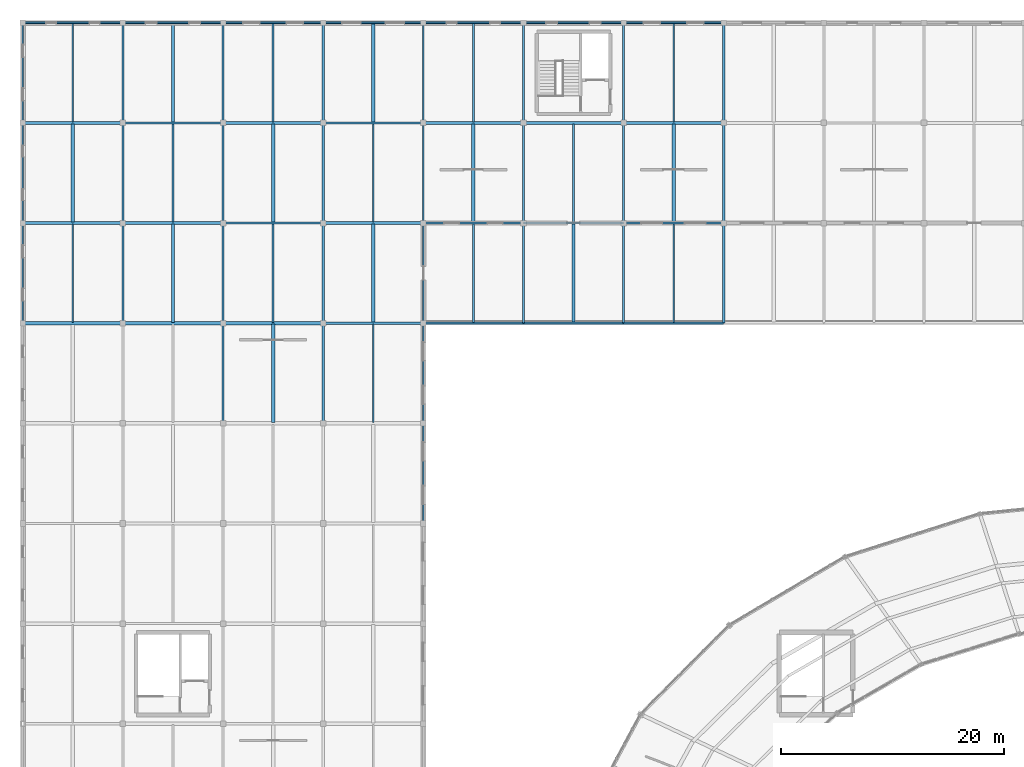
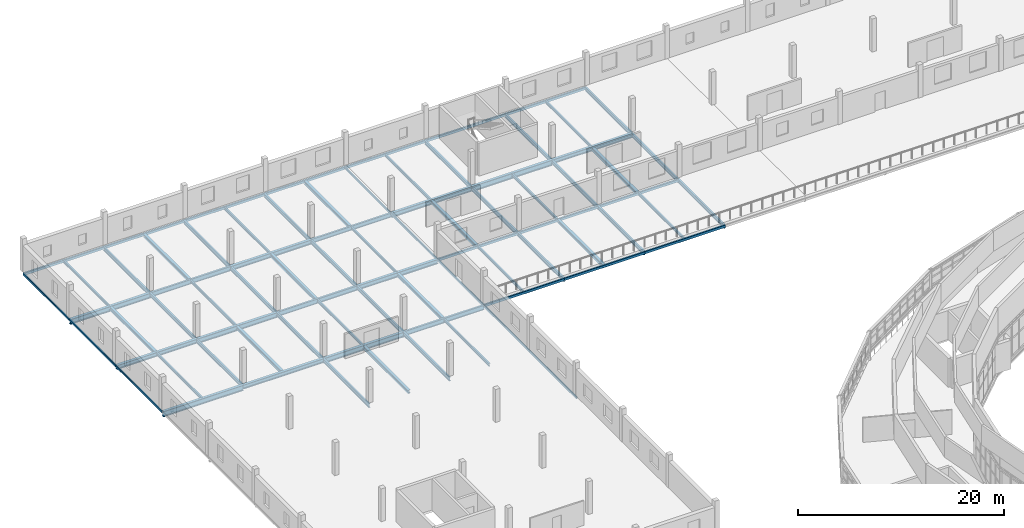
# One storey, part 71 of 123: 78 beams.
"""IFC4 building model written with IfcOpenShell, lengths in metres."""

from ifc_helpers import new_model, si_unit, direction, frame, origin, origin_2d, place, context, subcontext, project, spatial, hollow_rectangle, i_section, extrude, material, material_profile, profile_set, type_object, element, save


model = new_model("IFC4")

# Units and contexts
model_context = context("Model", 3, precision=1e-05, world=origin(), true_north=direction((0.0, 1.0)))
body_context = subcontext(model_context, "Body", "Model", "MODEL_VIEW")
ifc_project = project(units=[si_unit("LENGTHUNIT", "METRE"), si_unit("AREAUNIT", "SQUARE_METRE"), si_unit("VOLUMEUNIT", "CUBIC_METRE"), si_unit("PLANEANGLEUNIT", "RADIAN"), si_unit("MASSUNIT", "GRAM", prefix="KILO")], contexts=[model_context])

# Site, building, storey
site_placement = place(None, origin())
site = spatial("IfcSite", under=ifc_project, at=site_placement, CompositionType="ELEMENT")
building_placement = place(site_placement, origin())
building = spatial("IfcBuilding", under=site, at=building_placement, Name="Kildeholm Park Wholesale Market", CompositionType="ELEMENT")
storey_placement = place(building_placement, frame((0.0, 0.0, 9.60009765625)))
storey = spatial("IfcBuildingStorey", under=building, at=storey_placement, Name="L02", CompositionType="ELEMENT", Elevation=9.60009765625)

# Beams
ifc_material = material(Name="Steel S355", Category="steel")
ifc_material_profile_1 = material_profile(ifc_material, i_section(OverallWidth=0.18994140625, OverallDepth=0.449951171875, WebThickness=0.009521484375, FlangeThickness=0.0146484375, FilletRadius=0.02099609375, at=origin_2d()), Name="IPE 450")
ifc_profile_set_1 = profile_set([ifc_material_profile_1], Name="Steel S355")
beam_type_1 = type_object("IfcBeamType", Name="Beam B-P02 IPE 450", PredefinedType="BEAM", material=ifc_profile_set_1)
for number, where, z_axis, x_axis, name in (
    (1, (45.0, 153.0, -0.545166015625), (0.0, 1.0, 0.0), (-1.0, 0.0, 0.0), "Beam BM-V4-L02-Y-045-153 BM-0793"),
    (2, (45.0, 162.0, -0.545166015625), (0.0, 1.0, 0.0), (-1.0, 0.0, 0.0), "Beam BM-V4-L02-Y-045-162 BM-0796"),
    (3, (54.0, 153.0, -0.545166015625), (0.0, 1.0, 0.0), (-1.0, 0.0, 0.0), "Beam BM-V4-L02-Y-054-153 BM-0799"),
    (4, (54.0, 162.0, -0.545166015625), (0.0, 1.0, 0.0), (-1.0, 0.0, 0.0), "Beam BM-V4-L02-Y-054-162 BM-0802"),
    (5, (63.0, 153.0, -0.545166015625), (0.0, 1.0, 0.0), (-1.0, 0.0, 0.0), "Beam BM-V4-L02-Y-063-153 BM-0806"),
    (6, (63.0, 162.0, -0.545166015625), (0.0, 1.0, 0.0), (-1.0, 0.0, 0.0), "Beam BM-V4-L02-Y-063-162 BM-0809"),
    (7, (9.0, 144.0, -0.545166015625), (0.0, 1.0, 0.0), (-1.0, 0.0, 0.0), "Beam BM-V4-L02-Y-009-144 BM-0937"),
    (8, (9.0, 153.0, -0.545166015625), (0.0, 1.0, 0.0), (-1.0, 0.0, 0.0), "Beam BM-V4-L02-Y-009-153 BM-0940"),
    (9, (9.0, 162.0, -0.545166015625), (0.0, 1.0, 0.0), (-1.0, 0.0, 0.0), "Beam BM-V4-L02-Y-009-162 BM-0943"),
    (10, (18.0, 135.0, -0.545166015625), (0.0, 1.0, 0.0), (-1.0, 0.0, 0.0), "Beam BM-V4-L02-Y-018-135 BM-0959"),
    (11, (18.0, 144.0, -0.545166015625), (0.0, 1.0, 0.0), (-1.0, 0.0, 0.0), "Beam BM-V4-L02-Y-018-144 BM-0962"),
    (12, (18.0, 153.0, -0.545166015625), (0.0, 1.0, 0.0), (-1.0, 0.0, 0.0), "Beam BM-V4-L02-Y-018-153 BM-0965"),
    (13, (18.0, 162.0, -0.545166015625), (0.0, 1.0, 0.0), (-1.0, 0.0, 0.0), "Beam BM-V4-L02-Y-018-162 BM-0968"),
    (14, (27.0, 135.0, -0.545166015625), (0.0, 1.0, 0.0), (-1.0, 0.0, 0.0), "Beam BM-V4-L02-Y-027-135 BM-0984"),
    (15, (27.0, 144.0, -0.545166015625), (0.0, 1.0, 0.0), (-1.0, 0.0, 0.0), "Beam BM-V4-L02-Y-027-144 BM-0987"),
    (16, (27.0, 153.0, -0.545166015625), (0.0, 1.0, 0.0), (-1.0, 0.0, 0.0), "Beam BM-V4-L02-Y-027-153 BM-0990"),
    (17, (27.0, 162.0, -0.545166015625), (0.0, 1.0, 0.0), (-1.0, 0.0, 0.0), "Beam BM-V4-L02-Y-027-162 BM-0993"),
    (18, (45.0, 144.0, -0.51513671875), (0.0, 1.0, 0.0), (-1.0, 0.0, 0.0), "Beam BM-V4-L02-Y-045-144 BM-1005"),
    (19, (54.0, 144.0, -0.51513671875), (0.0, 1.0, 0.0), (-1.0, 0.0, 0.0), "Beam BM-V4-L02-Y-054-144 BM-1008"),
    (20, (63.0, 144.0, -0.51513671875), (0.0, 1.0, 0.0), (-1.0, 0.0, 0.0), "Beam BM-V4-L02-Y-063-144 BM-1011"),
):
    element("IfcBeam", number, at=place(storey_placement, frame(where, z_axis=z_axis, x_axis=x_axis)), inside=storey, type_object=beam_type_1, Name=name, PredefinedType="BEAM", context=body_context, shape_type="SweptSolid", body=[
        extrude(i_section(OverallWidth=0.18994140625, OverallDepth=0.449951171875, WebThickness=0.009521484375, FlangeThickness=0.0146484375, FilletRadius=0.02099609375, at=origin_2d()), origin(), (0.0, 0.0, 1.0), 9.0),
    ])
ifc_material_profile_2 = material_profile(ifc_material, i_section(OverallWidth=0.199951171875, OverallDepth=0.5, WebThickness=0.01025390625, FlangeThickness=0.01611328125, FilletRadius=0.02099609375, at=origin_2d()), Name="IPE 500")
ifc_profile_set_2 = profile_set([ifc_material_profile_2], Name="Steel S355")
beam_type_2 = type_object("IfcBeamType", Name="Beam B-P03 IPE 500", PredefinedType="BEAM", material=ifc_profile_set_2)
beam_1_placement = place(storey_placement, frame((27.0, 162.0, -0.570068359375), z_axis=(1.0, 0.0, 0.0), x_axis=(0.0, 1.0, 0.0)))
element("IfcBeam", 21, at=beam_1_placement, inside=storey, type_object=beam_type_2, Name="Beam BM-V4-L02-X-027-162 BM-0992", PredefinedType="BEAM", context=body_context, shape_type="SweptSolid", body=[
    extrude(i_section(OverallWidth=0.199951171875, OverallDepth=0.5, WebThickness=0.01025390625, FlangeThickness=0.01611328125, FilletRadius=0.02099609375, at=origin_2d()), origin(), (0.0, 0.0, 1.0), 9.0),
])
ifc_material_profile_3 = material_profile(ifc_material, i_section(OverallWidth=0.2099609375, OverallDepth=0.550048828125, WebThickness=0.010986328125, FlangeThickness=0.01708984375, FilletRadius=0.02392578125, at=origin_2d()), Name="IPE 550")
ifc_profile_set_3 = profile_set([ifc_material_profile_3], Name="Steel S355")
beam_type_3 = type_object("IfcBeamType", Name="Beam B-X01 IPE 550", PredefinedType="BEAM", material=ifc_profile_set_3)
for number, where, z_axis, x_axis, name in (
    (22, (9.0, 162.0, -0.59912109375), (1.0, 0.0, 0.0), (0.0, 1.0, 0.0), "Beam BM-V4-L02-X-009-162 BM-0942"),
    (23, (18.0, 153.0, -0.59912109375), (1.0, 0.0, 0.0), (0.0, 1.0, 0.0), "Beam BM-V4-L02-X-018-153 BM-0964"),
    (24, (27.0, 144.0, -0.59912109375), (1.0, 0.0, 0.0), (0.0, 1.0, 0.0), "Beam BM-V4-L02-X-027-144 BM-0986"),
):
    element("IfcBeam", number, at=place(storey_placement, frame(where, z_axis=z_axis, x_axis=x_axis)), inside=storey, type_object=beam_type_3, Name=name, PredefinedType="BEAM", context=body_context, shape_type="SweptSolid", body=[
        extrude(i_section(OverallWidth=0.2099609375, OverallDepth=0.550048828125, WebThickness=0.010986328125, FlangeThickness=0.01708984375, FilletRadius=0.02392578125, at=origin_2d()), origin(), (0.0, 0.0, 1.0), 9.0),
    ])
ifc_material_profile_4 = material_profile(ifc_material, i_section(OverallWidth=0.300048828125, OverallDepth=0.5400390625, WebThickness=0.012451171875, FlangeThickness=0.02392578125, FilletRadius=0.027099609375, at=origin_2d()), Name="HEA 550")
ifc_profile_set_4 = profile_set([ifc_material_profile_4], Name="Steel S355")
beam_type_4 = type_object("IfcBeamType", Name="Beam B-X02 HEA 550", PredefinedType="BEAM", material=ifc_profile_set_4)
for number, where, z_axis, x_axis, name in (
    (25, (18.0, 162.0, -0.590087890625), (1.0, 0.0, 0.0), (0.0, 1.0, 0.0), "Beam BM-V4-L02-X-018-162 BM-0967"),
    (26, (27.0, 153.0, -0.590087890625), (1.0, 0.0, 0.0), (0.0, 1.0, 0.0), "Beam BM-V4-L02-X-027-153 BM-0989"),
):
    element("IfcBeam", number, at=place(storey_placement, frame(where, z_axis=z_axis, x_axis=x_axis)), inside=storey, type_object=beam_type_4, Name=name, PredefinedType="BEAM", context=body_context, shape_type="SweptSolid", body=[
        extrude(i_section(OverallWidth=0.300048828125, OverallDepth=0.5400390625, WebThickness=0.012451171875, FlangeThickness=0.02392578125, FilletRadius=0.027099609375, at=origin_2d()), origin(), (0.0, 0.0, 1.0), 9.0),
    ])
ifc_material_profile_5 = material_profile(ifc_material, i_section(OverallWidth=0.300048828125, OverallDepth=0.550048828125, WebThickness=0.014892578125, FlangeThickness=0.029052734375, FilletRadius=0.027099609375, at=origin_2d()), Name="HEB 550")
ifc_profile_set_5 = profile_set([ifc_material_profile_5], Name="Steel S355")
beam_type_5 = type_object("IfcBeamType", Name="Beam B-X03 HEB 550", PredefinedType="BEAM", material=ifc_profile_set_5)
beam_2_placement = place(storey_placement, frame((36.0, 162.0, -0.59912109375), z_axis=(1.0, 0.0, 0.0), x_axis=(0.0, 1.0, 0.0)))
element("IfcBeam", 27, at=beam_2_placement, inside=storey, type_object=beam_type_5, Name="Beam BM-V4-L02-X-036-162 BM-0788", PredefinedType="BEAM", context=body_context, shape_type="SweptSolid", body=[
    extrude(i_section(OverallWidth=0.300048828125, OverallDepth=0.550048828125, WebThickness=0.014892578125, FlangeThickness=0.029052734375, FilletRadius=0.027099609375, at=origin_2d()), origin(), (0.0, 0.0, 1.0), 9.0),
])
ifc_material_profile_6 = material_profile(ifc_material, i_section(OverallWidth=0.300048828125, OverallDepth=0.64990234375, WebThickness=0.01611328125, FlangeThickness=0.031005859375, FilletRadius=0.027099609375, at=origin_2d()), Name="HEB 650")
ifc_profile_set_6 = profile_set([ifc_material_profile_6], Name="Steel S355")
beam_type_6 = type_object("IfcBeamType", Name="Beam B-X04 HEB 650", PredefinedType="BEAM", material=ifc_profile_set_6)
for number, where, z_axis, x_axis, name in (
    (28, (45.0, 162.0, -0.64501953125), (1.0, 0.0, 0.0), (0.0, 1.0, 0.0), "Beam BM-V4-L02-X-045-162 BM-0795"),
    (29, (0.0, 144.0, -0.64501953125), (1.0, 0.0, 0.0), (0.0, 1.0, 0.0), "Beam BM-V4-L02-X-000-144 BM-0912"),
):
    element("IfcBeam", number, at=place(storey_placement, frame(where, z_axis=z_axis, x_axis=x_axis)), inside=storey, type_object=beam_type_6, Name=name, PredefinedType="BEAM", context=body_context, shape_type="SweptSolid", body=[
        extrude(i_section(OverallWidth=0.300048828125, OverallDepth=0.64990234375, WebThickness=0.01611328125, FlangeThickness=0.031005859375, FilletRadius=0.027099609375, at=origin_2d()), origin(), (0.0, 0.0, 1.0), 9.0),
    ])
ifc_material_profile_7 = material_profile(ifc_material, i_section(OverallWidth=0.300048828125, OverallDepth=0.5, WebThickness=0.014404296875, FlangeThickness=0.028076171875, FilletRadius=0.027099609375, at=origin_2d()), Name="HEB 500")
ifc_profile_set_7 = profile_set([ifc_material_profile_7], Name="Steel S355")
beam_type_7 = type_object("IfcBeamType", Name="Beam B-X05 HEB 500", PredefinedType="BEAM", material=ifc_profile_set_7)
for number, where, z_axis, x_axis, name in (
    (30, (54.0, 162.0, -0.570068359375), (1.0, 0.0, 0.0), (0.0, 1.0, 0.0), "Beam BM-V4-L02-X-054-162 BM-0801"),
    (31, (0.0, 153.0, -0.570068359375), (1.0, 0.0, 0.0), (0.0, 1.0, 0.0), "Beam BM-V4-L02-X-000-153 BM-0915"),
    (32, (9.0, 144.0, -0.570068359375), (1.0, 0.0, 0.0), (0.0, 1.0, 0.0), "Beam BM-V4-L02-X-009-144 BM-0936"),
):
    element("IfcBeam", number, at=place(storey_placement, frame(where, z_axis=z_axis, x_axis=x_axis)), inside=storey, type_object=beam_type_7, Name=name, PredefinedType="BEAM", context=body_context, shape_type="SweptSolid", body=[
        extrude(i_section(OverallWidth=0.300048828125, OverallDepth=0.5, WebThickness=0.014404296875, FlangeThickness=0.028076171875, FilletRadius=0.027099609375, at=origin_2d()), origin(), (0.0, 0.0, 1.0), 9.0),
    ])
ifc_material_profile_8 = material_profile(ifc_material, i_section(OverallWidth=0.300048828125, OverallDepth=0.60009765625, WebThickness=0.015380859375, FlangeThickness=0.030029296875, FilletRadius=0.027099609375, at=origin_2d()), Name="HEB 600")
ifc_profile_set_8 = profile_set([ifc_material_profile_8], Name="Steel S355")
beam_type_8 = type_object("IfcBeamType", Name="Beam B-X06 HEB 600", PredefinedType="BEAM", material=ifc_profile_set_8)
for number, where, z_axis, x_axis, name in (
    (33, (0.0, 162.0, -0.6240234375), (1.0, 0.0, 0.0), (0.0, 1.0, 0.0), "Beam BM-V4-L02-X-000-162 BM-0918"),
    (34, (9.0, 153.0, -0.6240234375), (1.0, 0.0, 0.0), (0.0, 1.0, 0.0), "Beam BM-V4-L02-X-009-153 BM-0939"),
    (35, (18.0, 144.0, -0.6240234375), (1.0, 0.0, 0.0), (0.0, 1.0, 0.0), "Beam BM-V4-L02-X-018-144 BM-0961"),
):
    element("IfcBeam", number, at=place(storey_placement, frame(where, z_axis=z_axis, x_axis=x_axis)), inside=storey, type_object=beam_type_8, Name=name, PredefinedType="BEAM", context=body_context, shape_type="SweptSolid", body=[
        extrude(i_section(OverallWidth=0.300048828125, OverallDepth=0.60009765625, WebThickness=0.015380859375, FlangeThickness=0.030029296875, FilletRadius=0.027099609375, at=origin_2d()), origin(), (0.0, 0.0, 1.0), 9.0),
    ])
ifc_material_profile_9 = material_profile(ifc_material, i_section(OverallWidth=0.159912109375, OverallDepth=0.330078125, WebThickness=0.007568359375, FlangeThickness=0.011474609375, FilletRadius=0.01806640625, at=origin_2d()), Name="IPE 330")
ifc_profile_set_9 = profile_set([ifc_material_profile_9], Name="Steel S355")
beam_type_9 = type_object("IfcBeamType", Name="Beam J-03 IPE 330", PredefinedType="JOIST", material=ifc_profile_set_9)
for number, where, z_axis, x_axis, name in (
    (36, (40.5, 162.0849609375, -0.485107421875), (0.0, 1.0, 0.0), (-1.0, 0.0, 0.0), "Beam JT-V4-L02-036-162 BM-0790"),
    (37, (49.5, 153.0849609375, -0.485107421875), (0.0, 1.0, 0.0), (-1.0, 0.0, 0.0), "Beam JT-V4-L02-045-153 BM-0794"),
    (38, (58.5, 162.0849609375, -0.485107421875), (0.0, 1.0, 0.0), (-1.0, 0.0, 0.0), "Beam JT-V4-L02-054-162 BM-0803"),
    (39, (4.5, 144.0849609375, -0.485107421875), (0.0, 1.0, 0.0), (-1.0, 0.0, 0.0), "Beam JT-V4-L02-000-144 BM-0914"),
    (40, (4.5, 162.0849609375, -0.485107421875), (0.0, 1.0, 0.0), (-1.0, 0.0, 0.0), "Beam JT-V4-L02-000-162 BM-0920"),
    (41, (13.5, 153.0849609375, -0.485107421875), (0.0, 1.0, 0.0), (-1.0, 0.0, 0.0), "Beam JT-V4-L02-009-153 BM-0941"),
    (42, (22.5, 144.0849609375, -0.485107421875), (0.0, 1.0, 0.0), (-1.0, 0.0, 0.0), "Beam JT-V4-L02-018-144 BM-0963"),
    (43, (22.5, 162.0849609375, -0.485107421875), (0.0, 1.0, 0.0), (-1.0, 0.0, 0.0), "Beam JT-V4-L02-018-162 BM-0969"),
    (44, (31.5, 135.0849609375, -0.485107421875), (0.0, 1.0, 0.0), (-1.0, 0.0, 0.0), "Beam JT-V4-L02-027-135 BM-0985"),
    (45, (31.5, 153.0849609375, -0.485107421875), (0.0, 1.0, 0.0), (-1.0, 0.0, 0.0), "Beam JT-V4-L02-027-153 BM-0991"),
    (46, (40.5, 144.0849609375, -0.455078125), (0.0, 1.0, 0.0), (-1.0, 0.0, 0.0), "Beam JT-V4-L02-036-144 BM-1003"),
    (47, (58.5, 144.0849609375, -0.455078125), (0.0, 1.0, 0.0), (-1.0, 0.0, 0.0), "Beam JT-V4-L02-054-144 BM-1009"),
):
    element("IfcBeam", number, at=place(storey_placement, frame(where, z_axis=z_axis, x_axis=x_axis)), inside=storey, type_object=beam_type_9, Name=name, PredefinedType="JOIST", context=body_context, shape_type="SweptSolid", body=[
        extrude(i_section(OverallWidth=0.159912109375, OverallDepth=0.330078125, WebThickness=0.007568359375, FlangeThickness=0.011474609375, FilletRadius=0.01806640625, at=origin_2d()), origin(), (0.0, 0.0, 1.0), 8.830078125),
    ])
ifc_material_profile_10 = material_profile(ifc_material, i_section(OverallWidth=0.300048828125, OverallDepth=0.389892578125, WebThickness=0.010986328125, FlangeThickness=0.01904296875, FilletRadius=0.027099609375, at=origin_2d()), Name="HEA 400")
ifc_profile_set_10 = profile_set([ifc_material_profile_10], Name="Steel S355")
beam_type_10 = type_object("IfcBeamType", Name="Beam J-06 HEA 400", PredefinedType="JOIST", material=ifc_profile_set_10)
for number, where, z_axis, x_axis, name in (
    (48, (40.5, 153.0849609375, -0.51904296875), (0.0, 1.0, 0.0), (-1.0, 0.0, 0.0), "Beam JT-V4-L02-036-153 BM-0787"),
    (49, (58.5, 153.0849609375, -0.51904296875), (0.0, 1.0, 0.0), (-1.0, 0.0, 0.0), "Beam JT-V4-L02-054-153 BM-0800"),
    (50, (4.5, 153.0849609375, -0.51904296875), (0.0, 1.0, 0.0), (-1.0, 0.0, 0.0), "Beam JT-V4-L02-000-153 BM-0917"),
    (51, (13.5, 144.0849609375, -0.51904296875), (0.0, 1.0, 0.0), (-1.0, 0.0, 0.0), "Beam JT-V4-L02-009-144 BM-0938"),
    (52, (13.5, 162.0849609375, -0.51904296875), (0.0, 1.0, 0.0), (-1.0, 0.0, 0.0), "Beam JT-V4-L02-009-162 BM-0944"),
    (53, (22.5, 135.0849609375, -0.51904296875), (0.0, 1.0, 0.0), (-1.0, 0.0, 0.0), "Beam JT-V4-L02-018-135 BM-0960"),
    (54, (22.5, 153.0849609375, -0.51904296875), (0.0, 1.0, 0.0), (-1.0, 0.0, 0.0), "Beam JT-V4-L02-018-153 BM-0966"),
    (55, (31.5, 144.0849609375, -0.51904296875), (0.0, 1.0, 0.0), (-1.0, 0.0, 0.0), "Beam JT-V4-L02-027-144 BM-0988"),
    (56, (31.5, 162.0849609375, -0.51904296875), (0.0, 1.0, 0.0), (-1.0, 0.0, 0.0), "Beam JT-V4-L02-027-162 BM-0994"),
    (57, (49.5, 144.0849609375, -0.485107421875), (0.0, 1.0, 0.0), (-1.0, 0.0, 0.0), "Beam JT-V4-L02-045-144 BM-1006"),
):
    element("IfcBeam", number, at=place(storey_placement, frame(where, z_axis=z_axis, x_axis=x_axis)), inside=storey, type_object=beam_type_10, Name=name, PredefinedType="JOIST", context=body_context, shape_type="SweptSolid", body=[
        extrude(i_section(OverallWidth=0.300048828125, OverallDepth=0.389892578125, WebThickness=0.010986328125, FlangeThickness=0.01904296875, FilletRadius=0.027099609375, at=origin_2d()), origin(), (0.0, 0.0, 1.0), 8.830078125),
    ])
ifc_material_profile_11 = material_profile(ifc_material, hollow_rectangle(XDim=0.199951171875, YDim=0.300048828125, WallThickness=0.012451171875, InnerFilletRadius=0.012451171875, OuterFilletRadius=0.02490234375, at=origin_2d()), Name="RHS 300x200x12.5")
ifc_profile_set_11 = profile_set([ifc_material_profile_11], Name="Steel S355")
beam_type_11 = type_object("IfcBeamType", Name="Beam SP-01 RHS 300x200x12.5", PredefinedType="SPANDREL", material=ifc_profile_set_11)
for number, where, z_axis, x_axis, name in (
    (58, (36.0, 153.0, -0.47412109375), (1.0, 0.0, 0.0), (0.0, 1.0, 0.0), "Beam BM-V4-L02-X-036-153 BM-0785"),
    (59, (36.0, 171.0, -0.47412109375), (1.0, 0.0, 0.0), (0.0, 1.0, 0.0), "Beam BM-V4-L02-X-036-171 BM-0791"),
    (60, (45.0, 153.0, -0.47412109375), (1.0, 0.0, 0.0), (0.0, 1.0, 0.0), "Beam BM-V4-L02-X-045-153 BM-0792"),
    (61, (45.0, 171.0, -0.47412109375), (1.0, 0.0, 0.0), (0.0, 1.0, 0.0), "Beam BM-V4-L02-X-045-171 BM-0797"),
    (62, (54.0, 153.0, -0.47412109375), (1.0, 0.0, 0.0), (0.0, 1.0, 0.0), "Beam BM-V4-L02-X-054-153 BM-0798"),
    (63, (54.0, 171.0, -0.47412109375), (1.0, 0.0, 0.0), (0.0, 1.0, 0.0), "Beam BM-V4-L02-X-054-171 BM-0804"),
    (64, (0.0, 171.0, -0.47412109375), (1.0, 0.0, 0.0), (0.0, 1.0, 0.0), "Beam BM-V4-L02-X-000-171 BM-0921"),
    (65, (9.0, 171.0, -0.47412109375), (1.0, 0.0, 0.0), (0.0, 1.0, 0.0), "Beam BM-V4-L02-X-009-171 BM-0945"),
    (66, (18.0, 171.0, -0.47412109375), (1.0, 0.0, 0.0), (0.0, 1.0, 0.0), "Beam BM-V4-L02-X-018-171 BM-0970"),
    (67, (27.0, 171.0, -0.47412109375), (1.0, 0.0, 0.0), (0.0, 1.0, 0.0), "Beam BM-V4-L02-X-027-171 BM-0995"),
    (68, (36.0, 144.0, -0.440185546875), (1.0, 0.0, 0.0), (0.0, 1.0, 0.0), "Beam BM-V4-L02-X-036-144 BM-1002"),
    (69, (45.0, 144.0, -0.440185546875), (1.0, 0.0, 0.0), (0.0, 1.0, 0.0), "Beam BM-V4-L02-X-045-144 BM-1004"),
    (70, (54.0, 144.0, -0.440185546875), (1.0, 0.0, 0.0), (0.0, 1.0, 0.0), "Beam BM-V4-L02-X-054-144 BM-1007"),
):
    element("IfcBeam", number, at=place(storey_placement, frame(where, z_axis=z_axis, x_axis=x_axis)), inside=storey, type_object=beam_type_11, Name=name, PredefinedType="SPANDREL", context=body_context, shape_type="SweptSolid", body=[
        extrude(hollow_rectangle(XDim=0.199951171875, YDim=0.300048828125, WallThickness=0.012451171875, InnerFilletRadius=0.012451171875, OuterFilletRadius=0.02490234375, at=origin_2d()), origin(), (0.0, 0.0, 1.0), 9.0),
    ])
ifc_material_profile_12 = material_profile(ifc_material, hollow_rectangle(XDim=0.14990234375, YDim=0.25, WallThickness=0.010009765625, InnerFilletRadius=0.010009765625, OuterFilletRadius=0.02001953125, at=origin_2d()), Name="RHS 250x150x10")
ifc_profile_set_12 = profile_set([ifc_material_profile_12], Name="Steel S355")
beam_type_12 = type_object("IfcBeamType", Name="Beam SP-02 RHS 250x150x10", PredefinedType="SPANDREL", material=ifc_profile_set_12)
for number, where, z_axis, x_axis, name in (
    (71, (36.0, 153.0, -0.445068359375), (0.0, 1.0, 0.0), (-1.0, 0.0, 0.0), "Beam BM-V4-L02-Y-036-153 BM-0786"),
    (72, (36.0, 162.0, -0.445068359375), (0.0, 1.0, 0.0), (-1.0, 0.0, 0.0), "Beam BM-V4-L02-Y-036-162 BM-0789"),
    (73, (0.0, 144.0, -0.445068359375), (0.0, 1.0, 0.0), (-1.0, 0.0, 0.0), "Beam BM-V4-L02-Y-000-144 BM-0913"),
    (74, (0.0, 153.0, -0.445068359375), (0.0, 1.0, 0.0), (-1.0, 0.0, 0.0), "Beam BM-V4-L02-Y-000-153 BM-0916"),
    (75, (0.0, 162.0, -0.445068359375), (0.0, 1.0, 0.0), (-1.0, 0.0, 0.0), "Beam BM-V4-L02-Y-000-162 BM-0919"),
    (76, (36.0, 126.0, -0.445068359375), (0.0, 1.0, 0.0), (-1.0, 0.0, 0.0), "Beam BM-V4-L02-Y-036-126 BM-0999"),
    (77, (36.0, 135.0, -0.445068359375), (0.0, 1.0, 0.0), (-1.0, 0.0, 0.0), "Beam BM-V4-L02-Y-036-135 BM-1000"),
    (78, (36.0, 144.0, -0.445068359375), (0.0, 1.0, 0.0), (-1.0, 0.0, 0.0), "Beam BM-V4-L02-Y-036-144 BM-1001"),
):
    element("IfcBeam", number, at=place(storey_placement, frame(where, z_axis=z_axis, x_axis=x_axis)), inside=storey, type_object=beam_type_12, Name=name, PredefinedType="SPANDREL", context=body_context, shape_type="SweptSolid", body=[
        extrude(hollow_rectangle(XDim=0.14990234375, YDim=0.25, WallThickness=0.010009765625, InnerFilletRadius=0.010009765625, OuterFilletRadius=0.02001953125, at=origin_2d()), origin(), (0.0, 0.0, 1.0), 9.0),
    ])

save(model, "model.ifc")
